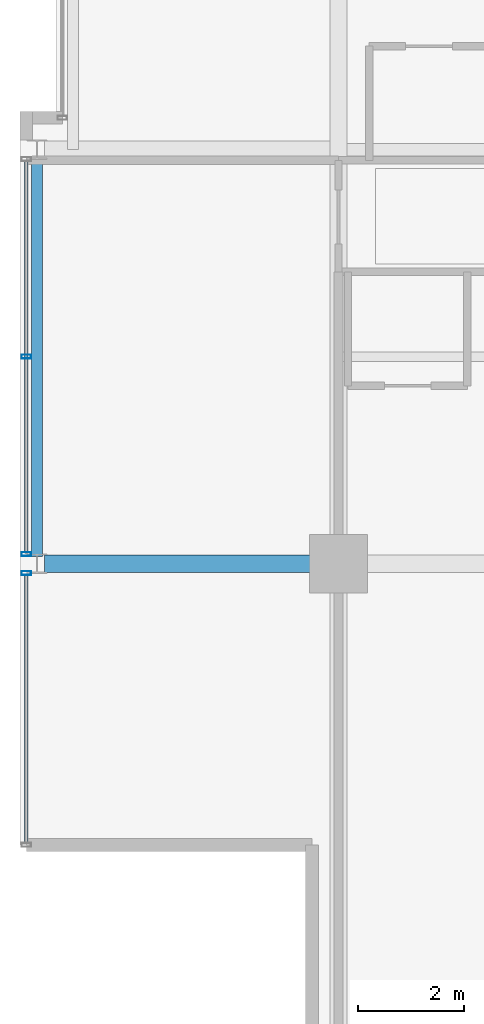
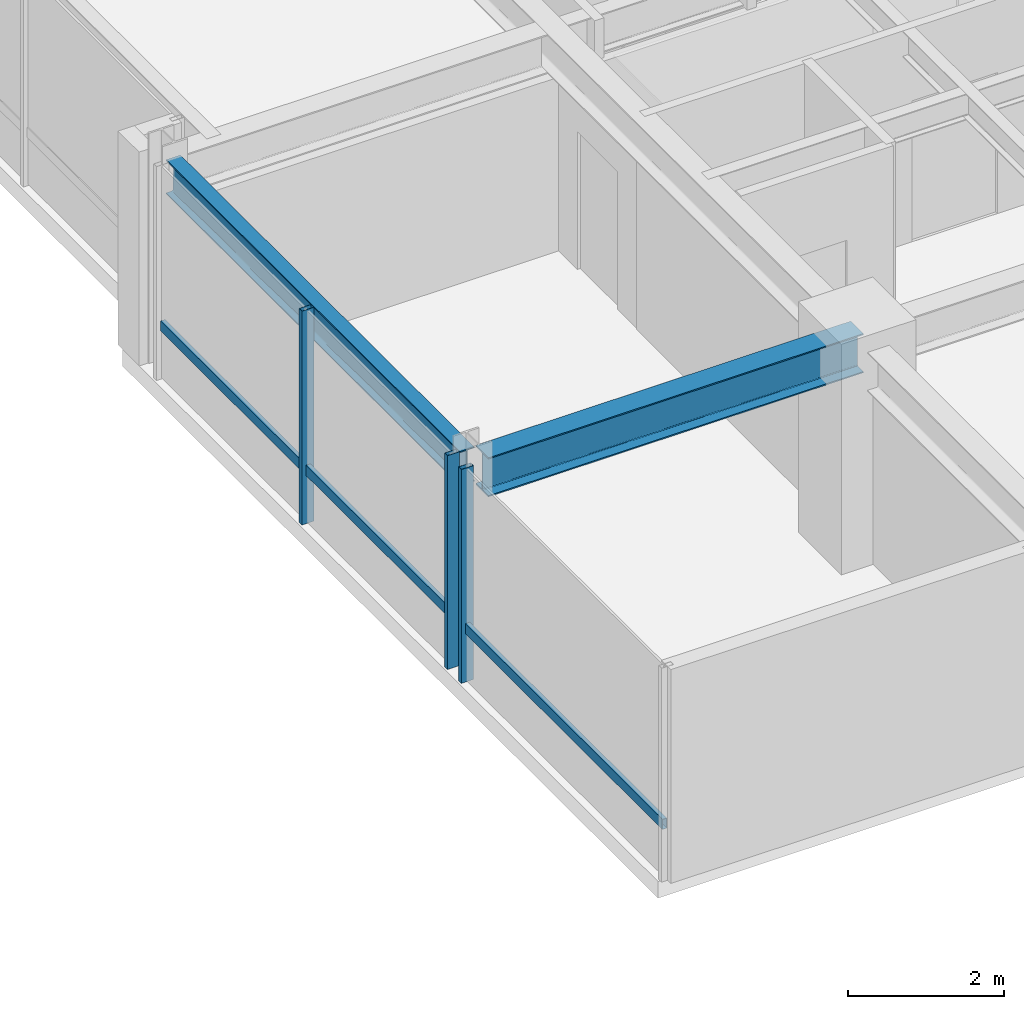
# One storey, part 5 of 32: 5 members, 2 beams, 2 elements without a shape of their own.
"""IFC4 building model written with IfcOpenShell, lengths in metres."""

from ifc_helpers import new_model, si_unit, direction, frame, origin, origin_2d, place, context, subcontext, project, spatial, hollow_rectangle, i_section, extrude, material, layer, layer_set, material_profile, profile_set, type_object, element, aggregate, save


model = new_model("IFC4")

# Units and contexts
model_context = context("Model", 3, precision=1e-05, world=origin(), true_north=direction((0.0, 1.0)))
body_context = subcontext(model_context, "Body", "Model", "MODEL_VIEW")
ifc_project = project(units=[si_unit("LENGTHUNIT", "METRE"), si_unit("AREAUNIT", "SQUARE_METRE"), si_unit("VOLUMEUNIT", "CUBIC_METRE"), si_unit("PLANEANGLEUNIT", "RADIAN"), si_unit("MASSUNIT", "GRAM", prefix="KILO")], contexts=[model_context])

# Site, building, storey
site_placement = place(None, origin())
site = spatial("IfcSite", under=ifc_project, at=site_placement, CompositionType="ELEMENT")
building_placement = place(site_placement, origin())
building = spatial("IfcBuilding", under=site, at=building_placement, Name="Drelvath Grand Hotel", CompositionType="ELEMENT")
storey_placement = place(building_placement, frame((0.0, 0.0, 237.5)))
storey = spatial("IfcBuildingStorey", under=building, at=storey_placement, Name="L62", CompositionType="ELEMENT", Elevation=237.5)

# Curtain wall, member
ifc_material_1 = material(Name="Platinum-Mist Anodised Aluminium Frame", Category="aluminium")
ifc_layer = layer(ifc_material_1, 0.199951171875)
ifc_layer_set = layer_set([ifc_layer], Name="Platinum-Mist Anodised Aluminium Frame")
curtain_wall_type = type_object("IfcCurtainWallType", Name="Stick Curtain Wall CW-05 Platinum Mist High-Rise", PredefinedType="NOTDEFINED", material=ifc_layer_set)
curtain_wall_1_placement = place(storey_placement, origin())
curtain_wall_1 = element("IfcCurtainWall", 1, at=curtain_wall_1_placement, inside=storey, type_object=curtain_wall_type, Name="L62 CW-05 Curtain Wall CW05-L62-WS1", PredefinedType="NOTDEFINED")
ifc_material_profile_1 = material_profile(ifc_material_1, hollow_rectangle(XDim=0.06494140625, YDim=0.159912109375, WallThickness=0.00390625, at=origin_2d()), Name="HSS160X65X4")
ifc_profile_set_1 = profile_set([ifc_material_profile_1], Name="Platinum-Mist Anodised Aluminium Frame")
member_type_1 = type_object("IfcMemberType", Name="Curtain Wall Horizontal Transom CW-05 HSS160X65X4", PredefinedType="USERDEFINED", material=ifc_profile_set_1)
member_1_placement = place(storey_placement, frame((-22.080078125, 5.5400390625, 0.8349609375), z_axis=(0.0, 1.0, 0.0), x_axis=(-1.0, 0.0, 0.0)))
member_1 = element("IfcMember", 2, at=member_1_placement, type_object=member_type_1, Name="CW05-L62-WS1 Sill Transom", ObjectType="TRANSOM", PredefinedType="USERDEFINED", context=body_context, shape_type="SweptSolid", body=[
    extrude(hollow_rectangle(XDim=0.06494140625, YDim=0.159912109375, WallThickness=0.00390625, at=origin_2d()), origin(), (0.0, 0.0, 1.0), 5.041748046875),
])

curtain_wall_2_placement = place(storey_placement, origin())
curtain_wall_2 = element("IfcCurtainWall", 3, at=curtain_wall_2_placement, inside=storey, type_object=curtain_wall_type, Name="L62 CW-05 Curtain Wall CW05-L62-WS2", PredefinedType="NOTDEFINED")
member_2_placement = place(storey_placement, frame((-22.080078125, 11.018310546875, 0.8349609375), z_axis=(0.0, 1.0, 0.0), x_axis=(-1.0, 0.0, 0.0)))
member_2 = element("IfcMember", 4, at=member_2_placement, type_object=member_type_1, Name="CW05-L62-WS2 Sill Transom", ObjectType="TRANSOM", PredefinedType="USERDEFINED", context=body_context, shape_type="SweptSolid", body=[
    extrude(hollow_rectangle(XDim=0.06494140625, YDim=0.159912109375, WallThickness=0.00390625, at=origin_2d()), origin(), (0.0, 0.0, 1.0), 7.363525390625),
])

# Member
ifc_material_profile_2 = material_profile(ifc_material_1, hollow_rectangle(XDim=0.074951171875, YDim=0.179931640625, WallThickness=0.0048828125, at=origin_2d()), Name="HSS180X75X5")
ifc_profile_set_2 = profile_set([ifc_material_profile_2], Name="Platinum-Mist Anodised Aluminium Frame")
member_type_2 = type_object("IfcMemberType", Name="Curtain Wall Vertical Mullion CW-05 HSS180X75X5", PredefinedType="MULLION", material=ifc_profile_set_2)
member_3_placement = place(storey_placement, frame((-22.080078125, 10.621826171875, 0.0), z_axis=(0.0, 0.0, 1.0), x_axis=(0.0, 1.0, 0.0)))
member_3 = element("IfcMember", 5, at=member_3_placement, type_object=member_type_2, Name="CW05-L62-WS1 Mullion 2", PredefinedType="MULLION", context=body_context, shape_type="SweptSolid", body=[
    extrude(hollow_rectangle(XDim=0.074951171875, YDim=0.179931640625, WallThickness=0.0048828125, at=origin_2d()), origin(), (0.0, 0.0, 1.0), 3.340087890625),
])

aggregate(curtain_wall_1, [member_3, member_1])

member_4_placement = place(storey_placement, frame((-22.080078125, 10.978271484375, 0.0), z_axis=(0.0, 0.0, 1.0), x_axis=(0.0, 1.0, 0.0)))
member_4 = element("IfcMember", 6, at=member_4_placement, type_object=member_type_2, Name="CW05-L62-WS2 Mullion 1", PredefinedType="MULLION", context=body_context, shape_type="SweptSolid", body=[
    extrude(hollow_rectangle(XDim=0.074951171875, YDim=0.179931640625, WallThickness=0.0048828125, at=origin_2d()), origin(), (0.0, 0.0, 1.0), 3.340087890625),
])

member_5_placement = place(storey_placement, frame((-22.080078125, 14.699951171875, 0.0), z_axis=(0.0, 0.0, 1.0), x_axis=(0.0, 1.0, 0.0)))
member_5 = element("IfcMember", 7, at=member_5_placement, type_object=member_type_2, Name="CW05-L62-WS2 Mullion 2", PredefinedType="MULLION", context=body_context, shape_type="SweptSolid", body=[
    extrude(hollow_rectangle(XDim=0.074951171875, YDim=0.179931640625, WallThickness=0.0048828125, at=origin_2d()), origin(), (0.0, 0.0, 1.0), 3.340087890625),
])

aggregate(curtain_wall_2, [member_4, member_5, member_2])

# Beams
ifc_material_2 = material(Name="Steel ASTM A992 Gr 50", Category="steel")
ifc_material_profile_3 = material_profile(ifc_material_2, i_section(OverallWidth=0.210205078125, OverallDepth=0.53662109375, WebThickness=0.010986328125, FlangeThickness=0.017333984375, FilletRadius=0.01806640625, at=origin_2d()), Name="W21X68")
ifc_profile_set_3 = profile_set([ifc_material_profile_3], Name="Steel ASTM A992 Gr 50")
beam_type_1 = type_object("IfcBeamType", Name="Perimeter Spandrel Beam W21X68", PredefinedType="SPANDREL", material=ifc_profile_set_3)
beam_1_placement = place(storey_placement, frame((-21.8798828125, 10.93994140625, 3.07177734375), z_axis=(0.0, 1.0, 0.0), x_axis=(-1.0, 0.0, 0.0)))
element("IfcBeam", 8, at=beam_1_placement, inside=storey, type_object=beam_type_1, Name="L62 Spandrel West S", PredefinedType="SPANDREL", context=body_context, shape_type="SweptSolid", body=[
    extrude(i_section(OverallWidth=0.210205078125, OverallDepth=0.53662109375, WebThickness=0.010986328125, FlangeThickness=0.017333984375, FilletRadius=0.01806640625, at=origin_2d()), origin(), (0.0, 0.0, 1.0), 7.52001953125),
])
ifc_material_profile_4 = material_profile(ifc_material_2, i_section(OverallWidth=0.323974609375, OverallDepth=0.611083984375, WebThickness=0.0126953125, FlangeThickness=0.01904296875, FilletRadius=0.02197265625, at=origin_2d()), Name="W24X104")
ifc_profile_set_4 = profile_set([ifc_material_profile_4], Name="Steel ASTM A992 Gr 50")
beam_type_2 = type_object("IfcBeamType", Name="Primary Floor Girder W24X104", PredefinedType="BEAM", material=ifc_profile_set_4)
beam_2_placement = place(storey_placement, frame((-21.739990234375, 10.800048828125, 3.034423828125), z_axis=(1.0, 0.0, 0.0), x_axis=(0.0, 1.0, 0.0)))
element("IfcBeam", 9, at=beam_2_placement, inside=storey, type_object=beam_type_2, Name="L62 West Grid Girder C", PredefinedType="BEAM", context=body_context, shape_type="SweptSolid", body=[
    extrude(i_section(OverallWidth=0.323974609375, OverallDepth=0.611083984375, WebThickness=0.0126953125, FlangeThickness=0.01904296875, FilletRadius=0.02197265625, at=origin_2d()), origin(), (0.0, 0.0, 1.0), 5.5400390625),
])

save(model, "model.ifc")
